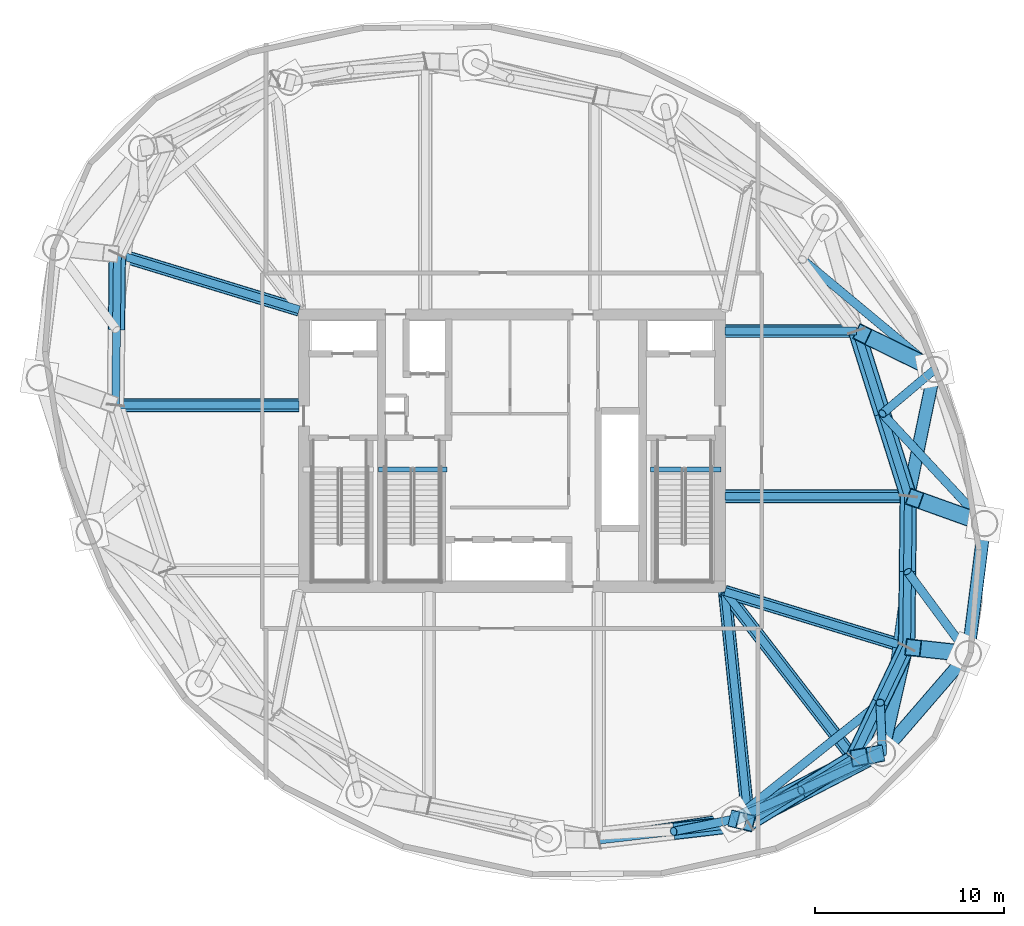
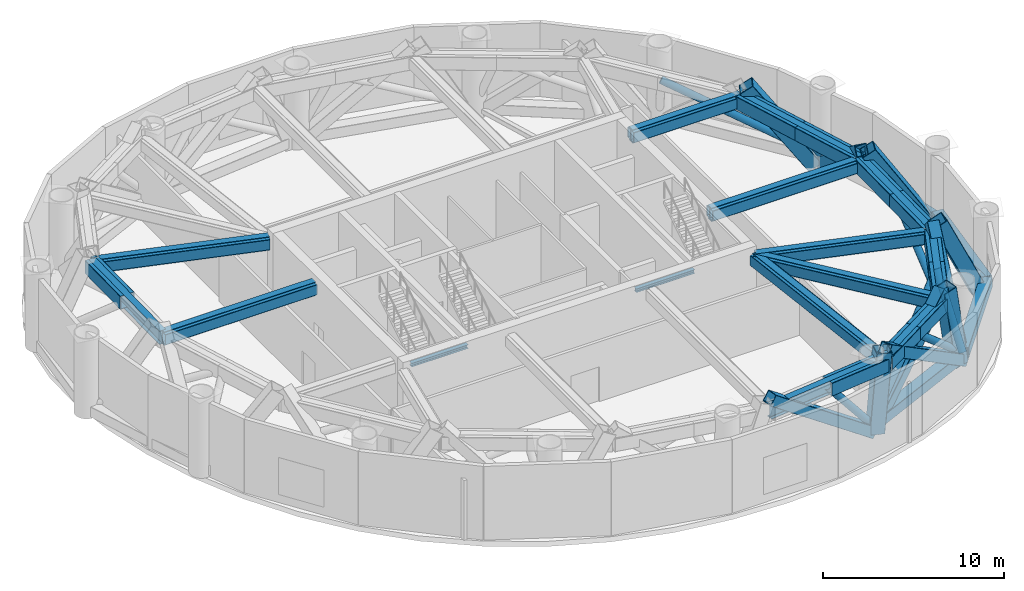
# One storey, part 2 of 10: 40 members, 15 beams.
"""IFC4 building model written with IfcOpenShell, lengths in metres."""

import ifcopenshell
import ifcopenshell.guid

model = None  # the IFC model being written
_history = None  # IfcOwnerHistory: only IFC2X3 demands one
_inside = {}  # id of a spatial element -> (the spatial element, [elements in it])
_under = {}  # id of a project, library or spatial element -> (it, [spatial elements below it])
_declared = {}  # id of a project -> (the project, [libraries it declares])
_typed = {}  # id of a type object -> (the type object, [elements of that type])
_made_of = {}  # id of a material, layer set ... -> (it, [elements and type objects made of it])


def new_model(schema):
    """Start an empty IFC model of exactly this schema.

    Asked for "IFC4X3", IfcOpenShell would pick the latest addendum, in which some entities
    have other attributes; the version numbers below select the first issue.
    IFC2X3 requires an IfcOwnerHistory on every rooted entity: one is made here for all.
    """
    global model, _history
    if schema == "IFC4X3":
        model = ifcopenshell.file(schema_version=(4, 3, 0, 0))
    else:
        model = ifcopenshell.file(schema=schema)
    _inside.clear()
    _under.clear()
    _declared.clear()
    _typed.clear()
    _made_of.clear()
    _history = None
    if model.schema == "IFC2X3":
        org = make("IfcOrganization", Name="unknown")
        user = make(
            "IfcPersonAndOrganization",
            ThePerson=make("IfcPerson", FamilyName="unknown"),
            TheOrganization=org,
        )
        app = make(
            "IfcApplication",
            ApplicationDeveloper=org,
            Version="unknown",
            ApplicationFullName="unknown",
            ApplicationIdentifier="unknown",
        )
        _history = make(
            "IfcOwnerHistory",
            OwningUser=user,
            OwningApplication=app,
            ChangeAction="ADDED",
            CreationDate=0,
        )
    return model


def make(cls, **values):
    """One entity of the class cls with the attributes given. An attribute that is None is left unset."""
    return model.create_entity(
        cls, **{name: value for name, value in values.items() if value is not None}
    )


def rooted(cls, **values):
    """An entity with a GlobalId (a new one), such as an element, a storey or a relation."""
    return make(cls, GlobalId=ifcopenshell.guid.new(), OwnerHistory=_history, **values)


def si_unit(unit_type, name, prefix=None):
    """IfcSIUnit, for example si_unit("LENGTHUNIT", "METRE", prefix="MILLI")."""
    return make("IfcSIUnit", UnitType=unit_type, Prefix=prefix, Name=name)


def assignment(units):
    """IfcUnitAssignment: the units of a project."""
    return None if units is None else make("IfcUnitAssignment", Units=units)


def point(xyz):
    """IfcCartesianPoint."""
    return None if xyz is None else make("IfcCartesianPoint", Coordinates=xyz)


def direction(xyz):
    """IfcDirection."""
    return None if xyz is None else make("IfcDirection", DirectionRatios=xyz)


def frame(location, z_axis=None, x_axis=None):
    """IfcAxis2Placement3D, a coordinate frame: its origin and axes. An axis left out is left unset."""
    return make(
        "IfcAxis2Placement3D",
        Location=point(location),
        Axis=direction(z_axis),
        RefDirection=direction(x_axis),
    )


def frame_2d(location, x_axis=None):
    """IfcAxis2Placement2D, a coordinate frame in the plane: its origin and x axis."""
    return make(
        "IfcAxis2Placement2D", Location=point(location), RefDirection=direction(x_axis)
    )


def origin():
    """The frame at (0, 0, 0) with its axes left unset."""
    return frame((0.0, 0.0, 0.0))


def origin_2d():
    """The frame at (0, 0) in the plane with its x axis left unset."""
    return frame_2d((0.0, 0.0))


def place(relative_to, where):
    """IfcLocalPlacement: puts the frame where relative to a parent placement (None: the world)."""
    return make(
        "IfcLocalPlacement", PlacementRelTo=relative_to, RelativePlacement=where
    )


def context(
    kind, dimensions, precision=None, world=None, true_north=None, identifier=None
):
    """IfcGeometricRepresentationContext, for example the 3D "Model" context."""
    return make(
        "IfcGeometricRepresentationContext",
        ContextIdentifier=identifier,
        ContextType=kind,
        CoordinateSpaceDimension=dimensions,
        Precision=precision,
        WorldCoordinateSystem=world,
        TrueNorth=true_north,
    )


def subcontext(parent, identifier, kind, view, scale=None):
    """IfcGeometricRepresentationSubContext, for example "Body" below "Model"."""
    return make(
        "IfcGeometricRepresentationSubContext",
        ContextIdentifier=identifier,
        ContextType=kind,
        ParentContext=parent,
        TargetScale=scale,
        TargetView=view,
    )


def project(units=None, contexts=None):
    """IfcProject with its units and contexts."""
    return rooted(
        "IfcProject",
        Name="project",
        RepresentationContexts=contexts,
        UnitsInContext=assignment(units),
    )


def spatial(cls, under=None, at=None, **own):
    """A site, building, storey or space (cls), placed at a placement, below another one or the project."""
    s = rooted(cls, ObjectPlacement=at, **own)
    if under is not None:
        _under.setdefault(under.id(), (under, []))[1].append(s)
    return s


def profile(cls, at=None, kind="AREA", **sizes):
    """A parametric profile (cls). Its sizes go by their IFC names, for example OverallWidth=200.0."""
    return make(cls, ProfileType=kind, Position=at, **sizes)


def hollow_rectangle(**sizes):
    """IfcRectangleHollowProfileDef."""
    return profile("IfcRectangleHollowProfileDef", **sizes)


def hollow_circle(**sizes):
    """IfcCircleHollowProfileDef."""
    return profile("IfcCircleHollowProfileDef", **sizes)


def i_section(**sizes):
    """IfcIShapeProfileDef."""
    return profile("IfcIShapeProfileDef", **sizes)


def extrude(swept, where, along, depth):
    """IfcExtrudedAreaSolid: the profile swept, set in the frame where, extruded along a direction by depth."""
    return make(
        "IfcExtrudedAreaSolid",
        SweptArea=swept,
        Position=where,
        ExtrudedDirection=direction(along),
        Depth=depth,
    )


def shape(context_of_items, identifier, shape_type, items):
    """IfcShapeRepresentation: the items that make up one representation, for example the "Body"."""
    return make(
        "IfcShapeRepresentation",
        ContextOfItems=context_of_items,
        RepresentationIdentifier=identifier,
        RepresentationType=shape_type,
        Items=items,
    )


def material(Name=None, Category=None):
    """IfcMaterial."""
    return make("IfcMaterial", Name=Name, Category=Category)


def material_profile(
    of_material, cross_section, Name=None, Category=None, Priority=None
):
    """IfcMaterialProfile: a cross section and its material."""
    return make(
        "IfcMaterialProfile",
        Name=Name,
        Material=of_material,
        Profile=cross_section,
        Priority=Priority,
        Category=Category,
    )


def profile_set(profiles, Name=None, composite=None):
    """IfcMaterialProfileSet."""
    return make(
        "IfcMaterialProfileSet",
        Name=Name,
        MaterialProfiles=profiles,
        CompositeProfile=composite,
    )


def made_of(thing, what):
    """Note that an element or type object is made of a material, layer set ...; save() writes the relation."""
    if what is not None:
        _made_of.setdefault(what.id(), (what, []))[1].append(thing)
    return thing


def type_object(cls, material=None, **own):
    """A type object (cls), such as IfcWallType, which elements share."""
    return made_of(rooted(cls, **own), material)


def element(
    cls,
    number,
    at=None,
    inside=None,
    cuts=None,
    type_object=None,
    material=None,
    context=None,
    identifier="Body",
    shape_type=None,
    held_by="IfcProductDefinitionShape",
    body=None,
    shapes=None,
    **own,
):
    """One element of the class cls, such as IfcWall. Its Tag is "e" and its number.

    at: its placement. inside: the storey or other place that contains it. cuts: it is an
    opening in that element (IfcRelVoidsElement). A single representation is given by context,
    identifier, shape_type and body (its items); several are given by shapes. held_by: the class
    of the entity that holds the representations. save() writes the other relations.
    """
    e = rooted(cls, Tag="e%d" % number, ObjectPlacement=at, **own)
    if body is not None:
        shapes = [shape(context, identifier, shape_type, body)]
    if shapes is not None:
        e.Representation = make(held_by, Representations=shapes)
    if inside is not None:
        _inside.setdefault(inside.id(), (inside, []))[1].append(e)
    if cuts is not None:
        rooted(
            "IfcRelVoidsElement", RelatingBuildingElement=cuts, RelatedOpeningElement=e
        )
    if type_object is not None:
        _typed.setdefault(type_object.id(), (type_object, []))[1].append(e)
    return made_of(e, material)


def aggregate(whole, parts):
    """IfcRelAggregates: a whole, such as a stair, and the parts it consists of."""
    return rooted("IfcRelAggregates", RelatingObject=whole, RelatedObjects=parts)


def save(model, path):
    """Write the relations noted so far, then the file.

    IfcRelAggregates (storeys below a building ...), IfcRelContainedInSpatialStructure (elements
    in a storey), IfcRelDefinesByType, IfcRelAssociatesMaterial and IfcRelDeclares: one each for
    every whole, place, type object, material and project.
    """
    for whole, parts in _under.values():
        aggregate(whole, parts)
    for where, things in _inside.values():
        rooted(
            "IfcRelContainedInSpatialStructure",
            RelatedElements=things,
            RelatingStructure=where,
        )
    for kind, things in _typed.values():
        rooted("IfcRelDefinesByType", RelatedObjects=things, RelatingType=kind)
    for what, things in _made_of.values():
        rooted("IfcRelAssociatesMaterial", RelatedObjects=things, RelatingMaterial=what)
    for by, libraries in _declared.values():
        rooted("IfcRelDeclares", RelatingContext=by, RelatedDefinitions=libraries)
    model.write(path)


model = new_model("IFC4")

# Units and contexts
model_context = context("Model", 3, precision=1e-05, world=origin(), true_north=direction((0.0, 1.0)))
body_context = subcontext(model_context, "Body", "Model", "MODEL_VIEW")
ifc_project = project(units=[si_unit("LENGTHUNIT", "METRE"), si_unit("AREAUNIT", "SQUARE_METRE"), si_unit("VOLUMEUNIT", "CUBIC_METRE"), si_unit("PLANEANGLEUNIT", "RADIAN"), si_unit("MASSUNIT", "GRAM", prefix="KILO")], contexts=[model_context])

# Site, building, storey
site_placement = place(None, origin())
site = spatial("IfcSite", under=ifc_project, at=site_placement, CompositionType="ELEMENT")
building_placement = place(site_placement, origin())
building = spatial("IfcBuilding", under=site, at=building_placement, Name="Bramvorn Convention Spire", CompositionType="ELEMENT")
storey_placement = place(building_placement, frame((0.0, 0.0, 165.800048828125)))
storey = spatial("IfcBuildingStorey", under=building, at=storey_placement, Name="L42", CompositionType="ELEMENT", Elevation=165.800048828125)

# Beams
ifc_material = material(Name="Steel CSA G40.21 Grade 350 (350W)", Category="steel")
ifc_material_profile_1 = material_profile(ifc_material, i_section(OverallWidth=0.25390625, OverallDepth=0.2529296875, WebThickness=0.008544921875, FlangeThickness=0.01416015625, FilletRadius=0.011962890625, at=origin_2d()))
ifc_profile_set_1 = profile_set([ifc_material_profile_1], Name="Steel CSA G40.21 Grade 350 (350W) - W250X73")
beam_type_1 = type_object("IfcBeamType", Name="BM-W250X73", PredefinedType="BEAM", material=ifc_profile_set_1)
beam_1_placement = place(storey_placement, frame((45.31005859375, 25.010009765625, -0.12646484375), z_axis=(1.0, 0.0, 0.0), x_axis=(0.0, 1.0, 0.0)))
element("IfcBeam", 1, at=beam_1_placement, inside=storey, type_object=beam_type_1, Name="L42 ST2 stair arrival header beam", PredefinedType="BEAM", context=body_context, shape_type="SweptSolid", body=[
    extrude(i_section(OverallWidth=0.25390625, OverallDepth=0.2529296875, WebThickness=0.008544921875, FlangeThickness=0.01416015625, FilletRadius=0.011962890625, at=origin_2d()), origin(), (0.0, 0.0, 1.0), 3.739990234375),
])
beam_2_placement = place(storey_placement, frame((30.949951171875, 25.010009765625, -0.12646484375), z_axis=(1.0, 0.0, 0.0), x_axis=(0.0, 1.0, 0.0)))
element("IfcBeam", 2, at=beam_2_placement, inside=storey, type_object=beam_type_1, Name="L42 ST3 stair arrival header beam", PredefinedType="BEAM", context=body_context, shape_type="SweptSolid", body=[
    extrude(i_section(OverallWidth=0.25390625, OverallDepth=0.2529296875, WebThickness=0.008544921875, FlangeThickness=0.01416015625, FilletRadius=0.011962890625, at=origin_2d()), origin(), (0.0, 0.0, 1.0), 3.610107421875),
])
ifc_material_profile_2 = material_profile(ifc_material, i_section(OverallWidth=0.41796875, OverallDepth=0.912109375, WebThickness=0.019287109375, FlangeThickness=0.031982421875, FilletRadius=0.02392578125, at=origin_2d()))
ifc_profile_set_2 = profile_set([ifc_material_profile_2], Name="Steel CSA G40.21 Grade 350 (350W) - W920X342")
beam_type_2 = type_object("IfcBeamType", Name="BM-W920X342", PredefinedType="BEAM", material=ifc_profile_set_2)
beam_3_placement = place(storey_placement, frame((56.058349609375, 9.739990234375, 4.52392578125), z_axis=(0.430556138422, 0.902563799223, 0.0), x_axis=(-0.902563799223, 0.430556138422, 0.0)))
element("IfcBeam", 3, at=beam_3_placement, inside=storey, type_object=beam_type_2, Name="L42 step-in transfer ring girder 01", PredefinedType="BEAM", context=body_context, shape_type="SweptSolid", body=[
    extrude(i_section(OverallWidth=0.41796875, OverallDepth=0.912109375, WebThickness=0.019287109375, FlangeThickness=0.031982421875, FilletRadius=0.02392578125, at=origin_2d()), origin(), (0.0, 0.0, 1.0), 6.51416015625),
])
beam_4_placement = place(storey_placement, frame((49.25, 18.550048828125, 4.52392578125), z_axis=(0.611479951477, -0.791259925019, 0.0), x_axis=(0.791259925019, 0.611479951477, 0.0)))
element("IfcBeam", 4, at=beam_4_placement, inside=storey, type_object=beam_type_2, Name="L42 step-in radial transfer girder MC01", PredefinedType="BEAM", context=body_context, shape_type="SweptSolid", body=[
    extrude(i_section(OverallWidth=0.41796875, OverallDepth=0.912109375, WebThickness=0.019287109375, FlangeThickness=0.031982421875, FilletRadius=0.02392578125, at=origin_2d()), origin(), (0.0, 0.0, 1.0), 11.13427734375),
])
beam_5_placement = place(storey_placement, frame((58.863037109375, 15.619384765625, 4.52392578125), z_axis=(0.011480475367, 0.999934097171, 0.0), x_axis=(-0.999934097171, 0.011480475367, 0.0)))
element("IfcBeam", 5, at=beam_5_placement, inside=storey, type_object=beam_type_2, Name="L42 step-in transfer ring girder 02", PredefinedType="BEAM", context=body_context, shape_type="SweptSolid", body=[
    extrude(i_section(OverallWidth=0.41796875, OverallDepth=0.912109375, WebThickness=0.019287109375, FlangeThickness=0.031982421875, FilletRadius=0.02392578125, at=origin_2d()), origin(), (0.0, 0.0, 1.0), 7.974609375),
])
beam_6_placement = place(storey_placement, frame((49.25, 18.550048828125, 4.52392578125), z_axis=(0.95653637984, -0.291613021044, 0.0), x_axis=(0.291613021044, 0.95653637984, 0.0)))
element("IfcBeam", 6, at=beam_6_placement, inside=storey, type_object=beam_type_2, Name="L42 step-in radial transfer girder MC02", PredefinedType="BEAM", context=body_context, shape_type="SweptSolid", body=[
    extrude(i_section(OverallWidth=0.41796875, OverallDepth=0.912109375, WebThickness=0.019287109375, FlangeThickness=0.031982421875, FilletRadius=0.02392578125, at=origin_2d()), origin(), (0.0, 0.0, 1.0), 10.0498046875),
])
beam_7_placement = place(storey_placement, frame((58.95458984375, 23.593505859375, 4.52392578125), z_axis=(-0.299747542929, 0.954018558786, 0.0), x_axis=(-0.954018558786, -0.299747542929, 0.0)))
element("IfcBeam", 7, at=beam_7_placement, inside=storey, type_object=beam_type_2, Name="L42 step-in transfer ring girder 03", PredefinedType="BEAM", context=body_context, shape_type="SweptSolid", body=[
    extrude(i_section(OverallWidth=0.41796875, OverallDepth=0.912109375, WebThickness=0.019287109375, FlangeThickness=0.031982421875, FilletRadius=0.02392578125, at=origin_2d()), origin(), (0.0, 0.0, 1.0), 9.15478515625),
])
beam_8_placement = place(storey_placement, frame((49.25, 23.593505859375, 4.52392578125), z_axis=(1.0, 0.0, 0.0), x_axis=(0.0, 1.0, 0.0)))
element("IfcBeam", 8, at=beam_8_placement, inside=storey, type_object=beam_type_2, Name="L42 step-in radial transfer girder MC03", PredefinedType="BEAM", context=body_context, shape_type="SweptSolid", body=[
    extrude(i_section(OverallWidth=0.41796875, OverallDepth=0.912109375, WebThickness=0.019287109375, FlangeThickness=0.031982421875, FilletRadius=0.02392578125, at=origin_2d()), origin(), (0.0, 0.0, 1.0), 9.70458984375),
])
beam_9_placement = place(storey_placement, frame((49.25, 32.327392578125, 4.52392578125), z_axis=(1.0, 0.0, 0.0), x_axis=(0.0, 1.0, 0.0)))
element("IfcBeam", 9, at=beam_9_placement, inside=storey, type_object=beam_type_2, Name="L42 step-in radial transfer girder MC04", PredefinedType="BEAM", context=body_context, shape_type="SweptSolid", body=[
    extrude(i_section(OverallWidth=0.41796875, OverallDepth=0.912109375, WebThickness=0.019287109375, FlangeThickness=0.031982421875, FilletRadius=0.02392578125, at=origin_2d()), origin(), (0.0, 0.0, 1.0), 6.96044921875),
])
beam_10_placement = place(storey_placement, frame((17.136962890625, 36.380615234375, 4.52392578125), z_axis=(-0.011480475367, -0.999934097171, 0.0), x_axis=(0.999934097171, -0.011480475367, 0.0)))
element("IfcBeam", 10, at=beam_10_placement, inside=storey, type_object=beam_type_2, Name="L42 step-in transfer ring girder 10", PredefinedType="BEAM", context=body_context, shape_type="SweptSolid", body=[
    extrude(i_section(OverallWidth=0.41796875, OverallDepth=0.912109375, WebThickness=0.019287109375, FlangeThickness=0.031982421875, FilletRadius=0.02392578125, at=origin_2d()), origin(), (0.0, 0.0, 1.0), 7.974609375),
])
beam_11_placement = place(storey_placement, frame((26.75, 33.449951171875, 4.52392578125), z_axis=(-0.95653637984, 0.291613021044, 0.0), x_axis=(-0.291613021044, -0.95653637984, 0.0)))
element("IfcBeam", 11, at=beam_11_placement, inside=storey, type_object=beam_type_2, Name="L42 step-in radial transfer girder MC10", PredefinedType="BEAM", context=body_context, shape_type="SweptSolid", body=[
    extrude(i_section(OverallWidth=0.41796875, OverallDepth=0.912109375, WebThickness=0.019287109375, FlangeThickness=0.031982421875, FilletRadius=0.02392578125, at=origin_2d()), origin(), (0.0, 0.0, 1.0), 10.0498046875),
])
beam_12_placement = place(storey_placement, frame((26.75, 28.406494140625, 4.52392578125), z_axis=(-1.0, 0.0, 0.0), x_axis=(0.0, -1.0, 0.0)))
element("IfcBeam", 12, at=beam_12_placement, inside=storey, type_object=beam_type_2, Name="L42 step-in radial transfer girder MC11", PredefinedType="BEAM", context=body_context, shape_type="SweptSolid", body=[
    extrude(i_section(OverallWidth=0.41796875, OverallDepth=0.912109375, WebThickness=0.019287109375, FlangeThickness=0.031982421875, FilletRadius=0.02392578125, at=origin_2d()), origin(), (0.0, 0.0, 1.0), 9.70458984375),
])
beam_13_placement = place(storey_placement, frame((42.583740234375, 5.41162109375, 4.52392578125), z_axis=(0.993256148339, 0.115940604561, 0.0), x_axis=(-0.115940604561, 0.993256148339, 0.0)))
element("IfcBeam", 13, at=beam_13_placement, inside=storey, type_object=beam_type_2, Name="L42 step-in transfer ring girder 15", PredefinedType="BEAM", context=body_context, shape_type="SweptSolid", body=[
    extrude(i_section(OverallWidth=0.41796875, OverallDepth=0.912109375, WebThickness=0.019287109375, FlangeThickness=0.031982421875, FilletRadius=0.02392578125, at=origin_2d()), origin(), (0.0, 0.0, 1.0), 7.974365234375),
])
beam_14_placement = place(storey_placement, frame((50.50439453125, 6.336181640625, 4.52392578125), z_axis=(0.852616873135, 0.522536570629, 0.0), x_axis=(-0.522536570629, 0.852616873135, 0.0)))
element("IfcBeam", 14, at=beam_14_placement, inside=storey, type_object=beam_type_2, Name="L42 step-in transfer ring girder 16", PredefinedType="BEAM", context=body_context, shape_type="SweptSolid", body=[
    extrude(i_section(OverallWidth=0.41796875, OverallDepth=0.912109375, WebThickness=0.019287109375, FlangeThickness=0.031982421875, FilletRadius=0.02392578125, at=origin_2d()), origin(), (0.0, 0.0, 1.0), 6.513916015625),
])
beam_15_placement = place(storey_placement, frame((49.25, 18.550048828125, 4.52392578125), z_axis=(0.10216509146, -0.994767457292, 0.0), x_axis=(0.994767457292, 0.10216509146, 0.0)))
element("IfcBeam", 15, at=beam_15_placement, inside=storey, type_object=beam_type_2, Name="L42 step-in radial transfer girder MC16", PredefinedType="BEAM", context=body_context, shape_type="SweptSolid", body=[
    extrude(i_section(OverallWidth=0.41796875, OverallDepth=0.912109375, WebThickness=0.019287109375, FlangeThickness=0.031982421875, FilletRadius=0.02392578125, at=origin_2d()), origin(), (0.0, 0.0, 1.0), 12.278076171875),
])

# Members
ifc_material_profile_3 = material_profile(ifc_material, hollow_rectangle(XDim=0.699951171875, YDim=0.699951171875, WallThickness=0.034912109375, InnerFilletRadius=0.0009765625, OuterFilletRadius=0.034912109375, at=origin_2d()))
ifc_profile_set_3 = profile_set([ifc_material_profile_3], Name="Steel CSA G40.21 Grade 350 (350W) - BOX700X700X35")
member_type_1 = type_object("IfcMemberType", Name="MBR-BOX700X700X35", PredefinedType="CHORD", material=ifc_profile_set_3)
member_1_placement = place(storey_placement, frame((62.11767578125, 15.26220703125, 0.449951171875), z_axis=(0.124775053879, 0.992185056292, 0.0), x_axis=(-0.992185056292, 0.124775053879, 0.0)))
element("IfcMember", 16, at=member_1_placement, inside=storey, type_object=member_type_1, Name="L42 belt truss bottom chord 1", PredefinedType="CHORD", context=body_context, shape_type="SweptSolid", body=[
    extrude(hollow_rectangle(XDim=0.699951171875, YDim=0.699951171875, WallThickness=0.034912109375, InnerFilletRadius=0.0009765625, OuterFilletRadius=0.034912109375, at=origin_2d()), origin(), (0.0, 0.0, 1.0), 6.940185546875),
])
member_2_placement = place(storey_placement, frame((49.76171875, 6.521240234375, 0.0), z_axis=(0.707679363849, 0.361755834709, 0.606895900493), x_axis=(-0.455163980415, 0.890407631893, 0.0)))
element("IfcMember", 17, at=member_2_placement, inside=storey, type_object=member_type_1, Name="L42 step-in secondary transfer strut MC01", PredefinedType="CHORD", context=body_context, shape_type="SweptSolid", body=[
    extrude(hollow_rectangle(XDim=0.699951171875, YDim=0.699951171875, WallThickness=0.034912109375, InnerFilletRadius=0.0009765625, OuterFilletRadius=0.034912109375, at=origin_2d()), origin(), (0.0, 0.0, 1.0), 8.8974609375),
])
member_3_placement = place(storey_placement, frame((49.25, 18.550048828125, 4.530029296875), z_axis=(0.611479951477, -0.791259925019, 0.0), x_axis=(0.791259925019, 0.611479951477, 0.0)))
element("IfcMember", 18, at=member_3_placement, inside=storey, type_object=member_type_1, Name="L42 outrigger top tie MC01", PredefinedType="CHORD", context=body_context, shape_type="SweptSolid", body=[
    extrude(hollow_rectangle(XDim=0.699951171875, YDim=0.699951171875, WallThickness=0.034912109375, InnerFilletRadius=0.0009765625, OuterFilletRadius=0.034912109375, at=origin_2d()), origin(), (0.0, 0.0, 1.0), 11.13427734375),
])
member_4_placement = place(storey_placement, frame((57.579833984375, 10.0107421875, 0.0), z_axis=(0.162623156072, 0.710795617284, 0.684341507991), x_axis=(-0.974812135138, 0.223027579432, 0.0)))
element("IfcMember", 19, at=member_4_placement, inside=storey, type_object=member_type_1, Name="L42 step-in secondary transfer strut MC02", PredefinedType="CHORD", context=body_context, shape_type="SweptSolid", body=[
    extrude(hollow_rectangle(XDim=0.699951171875, YDim=0.699951171875, WallThickness=0.034912109375, InnerFilletRadius=0.0009765625, OuterFilletRadius=0.034912109375, at=origin_2d()), origin(), (0.0, 0.0, 1.0), 7.890625),
])
member_5_placement = place(storey_placement, frame((49.25, 18.550048828125, 4.530029296875), z_axis=(0.95653637984, -0.291613021044, 0.0), x_axis=(0.291613021044, 0.95653637984, 0.0)))
element("IfcMember", 20, at=member_5_placement, inside=storey, type_object=member_type_1, Name="L42 outrigger top tie MC02", PredefinedType="CHORD", context=body_context, shape_type="SweptSolid", body=[
    extrude(hollow_rectangle(XDim=0.699951171875, YDim=0.699951171875, WallThickness=0.034912109375, InnerFilletRadius=0.0009765625, OuterFilletRadius=0.034912109375, at=origin_2d()), origin(), (0.0, 0.0, 1.0), 10.0498046875),
])
member_6_placement = place(storey_placement, frame((60.345703125, 30.293212890625, 0.0), z_axis=(-0.159592410944, -0.768609150779, 0.619491917387), x_axis=(0.979116152328, -0.203301648421, 0.0)))
element("IfcMember", 21, at=member_6_placement, inside=storey, type_object=member_type_1, Name="L42 step-in secondary transfer strut MC03", PredefinedType="CHORD", context=body_context, shape_type="SweptSolid", body=[
    extrude(hollow_rectangle(XDim=0.699951171875, YDim=0.699951171875, WallThickness=0.034912109375, InnerFilletRadius=0.0009765625, OuterFilletRadius=0.034912109375, at=origin_2d()), origin(), (0.0, 0.0, 1.0), 8.716552734375),
])
member_7_placement = place(storey_placement, frame((49.25, 23.593505859375, 4.530029296875), z_axis=(1.0, 0.0, 0.0), x_axis=(0.0, 1.0, 0.0)))
element("IfcMember", 22, at=member_7_placement, inside=storey, type_object=member_type_1, Name="L42 outrigger top tie MC03", PredefinedType="CHORD", context=body_context, shape_type="SweptSolid", body=[
    extrude(hollow_rectangle(XDim=0.699951171875, YDim=0.699951171875, WallThickness=0.034912109375, InnerFilletRadius=0.0009765625, OuterFilletRadius=0.034912109375, at=origin_2d()), origin(), (0.0, 0.0, 1.0), 9.70458984375),
])
member_8_placement = place(storey_placement, frame((49.25, 32.327392578125, 4.530029296875), z_axis=(1.0, 0.0, 0.0), x_axis=(0.0, 1.0, 0.0)))
element("IfcMember", 23, at=member_8_placement, inside=storey, type_object=member_type_1, Name="L42 outrigger top tie MC04", PredefinedType="CHORD", context=body_context, shape_type="SweptSolid", body=[
    extrude(hollow_rectangle(XDim=0.699951171875, YDim=0.699951171875, WallThickness=0.034912109375, InnerFilletRadius=0.0009765625, OuterFilletRadius=0.034912109375, at=origin_2d()), origin(), (0.0, 0.0, 1.0), 6.96044921875),
])
member_9_placement = place(storey_placement, frame((26.75, 33.449951171875, 4.530029296875), z_axis=(-0.95653637984, 0.291613021044, 0.0), x_axis=(-0.291613021044, -0.95653637984, 0.0)))
element("IfcMember", 24, at=member_9_placement, inside=storey, type_object=member_type_1, Name="L42 outrigger top tie MC10", PredefinedType="CHORD", context=body_context, shape_type="SweptSolid", body=[
    extrude(hollow_rectangle(XDim=0.699951171875, YDim=0.699951171875, WallThickness=0.034912109375, InnerFilletRadius=0.0009765625, OuterFilletRadius=0.034912109375, at=origin_2d()), origin(), (0.0, 0.0, 1.0), 10.0498046875),
])
member_10_placement = place(storey_placement, frame((26.75, 28.406494140625, 4.530029296875), z_axis=(-1.0, 0.0, 0.0), x_axis=(0.0, -1.0, 0.0)))
element("IfcMember", 25, at=member_10_placement, inside=storey, type_object=member_type_1, Name="L42 outrigger top tie MC11", PredefinedType="CHORD", context=body_context, shape_type="SweptSolid", body=[
    extrude(hollow_rectangle(XDim=0.699951171875, YDim=0.699951171875, WallThickness=0.034912109375, InnerFilletRadius=0.0009765625, OuterFilletRadius=0.034912109375, at=origin_2d()), origin(), (0.0, 0.0, 1.0), 9.70458984375),
])
member_11_placement = place(storey_placement, frame((49.76171875, 6.521240234375, 0.449951171875), z_axis=(0.913169534701, 0.407579931908, 0.0), x_axis=(-0.407579931908, 0.913169534701, 0.0)))
element("IfcMember", 26, at=member_11_placement, inside=storey, type_object=member_type_1, Name="L42 belt truss bottom chord 15", PredefinedType="CHORD", context=body_context, shape_type="SweptSolid", body=[
    extrude(hollow_rectangle(XDim=0.699951171875, YDim=0.699951171875, WallThickness=0.034912109375, InnerFilletRadius=0.0009765625, OuterFilletRadius=0.034912109375, at=origin_2d()), origin(), (0.0, 0.0, 1.0), 8.5615234375),
])
member_12_placement = place(storey_placement, frame((49.76171875, 6.521240234375, 0.0), z_axis=(-0.793093174827, -0.122601560477, 0.596633952614), x_axis=(0.152771959138, -0.98826146768, 0.0)))
element("IfcMember", 27, at=member_12_placement, inside=storey, type_object=member_type_1, Name="L42 step-in secondary transfer strut MC15", PredefinedType="CHORD", context=body_context, shape_type="SweptSolid", body=[
    extrude(hollow_rectangle(XDim=0.699951171875, YDim=0.699951171875, WallThickness=0.034912109375, InnerFilletRadius=0.0009765625, OuterFilletRadius=0.034912109375, at=origin_2d()), origin(), (0.0, 0.0, 1.0), 9.050537109375),
])
member_13_placement = place(storey_placement, frame((57.579833984375, 10.0107421875, 0.449951171875), z_axis=(0.653824993824, 0.756645807132, 0.0), x_axis=(-0.756645807132, 0.653824993824, 0.0)))
element("IfcMember", 28, at=member_13_placement, inside=storey, type_object=member_type_1, Name="L42 belt truss bottom chord 16", PredefinedType="CHORD", context=body_context, shape_type="SweptSolid", body=[
    extrude(hollow_rectangle(XDim=0.699951171875, YDim=0.699951171875, WallThickness=0.034912109375, InnerFilletRadius=0.0009765625, OuterFilletRadius=0.034912109375, at=origin_2d()), origin(), (0.0, 0.0, 1.0), 6.9404296875),
])
member_14_placement = place(storey_placement, frame((57.579833984375, 10.0107421875, 0.0), z_axis=(-0.734783255288, -0.381602524942, 0.56077899453), x_axis=(0.460891801647, -0.887456335362, 0.0)))
element("IfcMember", 29, at=member_14_placement, inside=storey, type_object=member_type_1, Name="L42 step-in secondary transfer strut MC16", PredefinedType="CHORD", context=body_context, shape_type="SweptSolid", body=[
    extrude(hollow_rectangle(XDim=0.699951171875, YDim=0.699951171875, WallThickness=0.034912109375, InnerFilletRadius=0.0009765625, OuterFilletRadius=0.034912109375, at=origin_2d()), origin(), (0.0, 0.0, 1.0), 9.62939453125),
])
member_15_placement = place(storey_placement, frame((49.25, 18.550048828125, 4.530029296875), z_axis=(0.10216509146, -0.994767457292, 0.0), x_axis=(0.994767457292, 0.10216509146, 0.0)))
element("IfcMember", 30, at=member_15_placement, inside=storey, type_object=member_type_1, Name="L42 outrigger top tie MC16", PredefinedType="CHORD", context=body_context, shape_type="SweptSolid", body=[
    extrude(hollow_rectangle(XDim=0.699951171875, YDim=0.699951171875, WallThickness=0.034912109375, InnerFilletRadius=0.0009765625, OuterFilletRadius=0.034912109375, at=origin_2d()), origin(), (0.0, 0.0, 1.0), 12.278076171875),
])
ifc_material_profile_4 = material_profile(ifc_material, hollow_rectangle(XDim=0.89990234375, YDim=0.89990234375, WallThickness=0.044921875, InnerFilletRadius=0.0009765625, OuterFilletRadius=0.044921875, at=origin_2d()))
ifc_profile_set_4 = profile_set([ifc_material_profile_4], Name="Steel CSA G40.21 Grade 350 (350W) - BOX900X900X45")
member_type_2 = type_object("IfcMemberType", Name="MBR-BOX900X900X45", PredefinedType="CHORD", material=ifc_profile_set_4)
for number, where, z_axis, x_axis, name in (
    (31, (56.058349609375, 9.739990234375, 4.530029296875), (0.430556138422, 0.902563799223, 0.0), (-0.902563799223, 0.430556138422, 0.0), "L42 belt truss top chord 1A"),
    (32, (57.460693359375, 12.6796875, 4.530029296875), (0.430556138422, 0.902563799223, 0.0), (-0.902563799223, 0.430556138422, 0.0), "L42 belt truss top chord 1B"),
):
    element("IfcMember", number, at=place(storey_placement, frame(where, z_axis=z_axis, x_axis=x_axis)), inside=storey, type_object=member_type_2, Name=name, PredefinedType="CHORD", context=body_context, shape_type="SweptSolid", body=[
        extrude(hollow_rectangle(XDim=0.89990234375, YDim=0.89990234375, WallThickness=0.044921875, InnerFilletRadius=0.0009765625, OuterFilletRadius=0.044921875, at=origin_2d()), origin(), (0.0, 0.0, 1.0), 3.257080078125),
    ])
member_16_placement = place(storey_placement, frame((57.199462890625, 9.943115234375, 0.0), z_axis=(-0.153057836332, -0.027244026893, 0.987841617738), x_axis=(0.175243740378, -0.984525079141, 0.0)))
element("IfcMember", 33, at=member_16_placement, inside=storey, type_object=member_type_2, Name="L42 step-in mega-column transfer strut MC01", PredefinedType="CHORD", context=body_context, shape_type="SweptSolid", body=[
    extrude(hollow_rectangle(XDim=0.89990234375, YDim=0.89990234375, WallThickness=0.044921875, InnerFilletRadius=0.0009765625, OuterFilletRadius=0.044921875, at=origin_2d()), origin(), (0.0, 0.0, 1.0), 5.46630859375),
])
for number, where, z_axis, x_axis, name in (
    (34, (58.863037109375, 15.619384765625, 4.530029296875), (0.011511085917, 0.999933745256, 0.0), (-0.999933745256, 0.011511085917, 0.0), "L42 belt truss top chord 2A"),
    (35, (58.908935546875, 19.6064453125, 4.530029296875), (0.011449864785, 0.99993444815, 0.0), (-0.99993444815, 0.011449864785, 0.0), "L42 belt truss top chord 2B"),
):
    element("IfcMember", number, at=place(storey_placement, frame(where, z_axis=z_axis, x_axis=x_axis)), inside=storey, type_object=member_type_2, Name=name, PredefinedType="CHORD", context=body_context, shape_type="SweptSolid", body=[
        extrude(hollow_rectangle(XDim=0.89990234375, YDim=0.89990234375, WallThickness=0.044921875, InnerFilletRadius=0.0009765625, OuterFilletRadius=0.044921875, at=origin_2d()), origin(), (0.0, 0.0, 1.0), 3.9873046875),
    ])
member_17_placement = place(storey_placement, frame((61.67041015625, 15.311279296875, 0.0), z_axis=(-0.414068704119, 0.045459597653, 0.909109747638), x_axis=(-0.109131841965, -0.994027283866, 0.0)))
element("IfcMember", 36, at=member_17_placement, inside=storey, type_object=member_type_2, Name="L42 step-in mega-column transfer strut MC02", PredefinedType="CHORD", context=body_context, shape_type="SweptSolid", body=[
    extrude(hollow_rectangle(XDim=0.89990234375, YDim=0.89990234375, WallThickness=0.044921875, InnerFilletRadius=0.0009765625, OuterFilletRadius=0.044921875, at=origin_2d()), origin(), (0.0, 0.0, 1.0), 5.939697265625),
])
for number, where, z_axis, x_axis, name in (
    (37, (58.95458984375, 23.593505859375, 4.530029296875), (-0.299747542929, 0.954018558786, 0.0), (-0.954018558786, -0.299747542929, 0.0), "L42 belt truss top chord 3A"),
    (38, (57.58251953125, 27.96044921875, 4.530029296875), (-0.299747542929, 0.954018558786, 0.0), (-0.954018558786, -0.299747542929, 0.0), "L42 belt truss top chord 3B"),
):
    element("IfcMember", number, at=place(storey_placement, frame(where, z_axis=z_axis, x_axis=x_axis)), inside=storey, type_object=member_type_2, Name=name, PredefinedType="CHORD", context=body_context, shape_type="SweptSolid", body=[
        extrude(hollow_rectangle(XDim=0.89990234375, YDim=0.89990234375, WallThickness=0.044921875, InnerFilletRadius=0.0009765625, OuterFilletRadius=0.044921875, at=origin_2d()), origin(), (0.0, 0.0, 1.0), 4.577392578125),
    ])
member_18_placement = place(storey_placement, frame((62.56005859375, 22.30029296875, 0.0), z_axis=(-0.509926997723, 0.182871419962, 0.840554876706), x_axis=(-0.337571545057, -0.941299873562, 0.0)))
element("IfcMember", 39, at=member_18_placement, inside=storey, type_object=member_type_2, Name="L42 step-in mega-column transfer strut MC03", PredefinedType="CHORD", context=body_context, shape_type="SweptSolid", body=[
    extrude(hollow_rectangle(XDim=0.89990234375, YDim=0.89990234375, WallThickness=0.044921875, InnerFilletRadius=0.0009765625, OuterFilletRadius=0.044921875, at=origin_2d()), origin(), (0.0, 0.0, 1.0), 6.42431640625),
])
member_19_placement = place(storey_placement, frame((59.94189453125, 30.49169921875, 0.0), z_axis=(-0.517180731598, 0.254415382039, 0.817188414165), x_axis=(-0.441409349505, -0.897305848732, 0.0)))
element("IfcMember", 40, at=member_19_placement, inside=storey, type_object=member_type_2, Name="L42 step-in mega-column transfer strut MC04", PredefinedType="CHORD", context=body_context, shape_type="SweptSolid", body=[
    extrude(hollow_rectangle(XDim=0.89990234375, YDim=0.89990234375, WallThickness=0.044921875, InnerFilletRadius=0.0009765625, OuterFilletRadius=0.044921875, at=origin_2d()), origin(), (0.0, 0.0, 1.0), 6.60791015625),
])
member_20_placement = place(storey_placement, frame((17.136962890625, 36.380615234375, 4.530029296875), z_axis=(-0.011511085917, -0.999933745256, 0.0), x_axis=(0.999933745256, -0.011511085917, 0.0)))
element("IfcMember", 41, at=member_20_placement, inside=storey, type_object=member_type_2, Name="L42 belt truss top chord 10A", PredefinedType="CHORD", context=body_context, shape_type="SweptSolid", body=[
    extrude(hollow_rectangle(XDim=0.89990234375, YDim=0.89990234375, WallThickness=0.044921875, InnerFilletRadius=0.0009765625, OuterFilletRadius=0.044921875, at=origin_2d()), origin(), (0.0, 0.0, 1.0), 3.9873046875),
])
member_21_placement = place(storey_placement, frame((46.544189453125, 5.8740234375, 4.530029296875), z_axis=(0.99325926218, 0.115913925363, 0.0), x_axis=(-0.115913925363, 0.99325926218, 0.0)))
element("IfcMember", 42, at=member_21_placement, inside=storey, type_object=member_type_2, Name="L42 belt truss top chord 15B", PredefinedType="CHORD", context=body_context, shape_type="SweptSolid", body=[
    extrude(hollow_rectangle(XDim=0.89990234375, YDim=0.89990234375, WallThickness=0.044921875, InnerFilletRadius=0.0009765625, OuterFilletRadius=0.044921875, at=origin_2d()), origin(), (0.0, 0.0, 1.0), 3.987060546875),
])
member_22_placement = place(storey_placement, frame((50.50439453125, 6.336181640625, 4.530029296875), z_axis=(0.852627106163, 0.522519873149, 0.0), x_axis=(-0.522519873149, 0.852627106163, 0.0)))
element("IfcMember", 43, at=member_22_placement, inside=storey, type_object=member_type_2, Name="L42 belt truss top chord 16A", PredefinedType="CHORD", context=body_context, shape_type="SweptSolid", body=[
    extrude(hollow_rectangle(XDim=0.89990234375, YDim=0.89990234375, WallThickness=0.044921875, InnerFilletRadius=0.0009765625, OuterFilletRadius=0.044921875, at=origin_2d()), origin(), (0.0, 0.0, 1.0), 3.257080078125),
])
member_23_placement = place(storey_placement, frame((53.281494140625, 8.0380859375, 4.530029296875), z_axis=(0.852606639126, 0.522553268977, 0.0), x_axis=(-0.522553268977, 0.852606639126, 0.0)))
element("IfcMember", 44, at=member_23_placement, inside=storey, type_object=member_type_2, Name="L42 belt truss top chord 16B", PredefinedType="CHORD", context=body_context, shape_type="SweptSolid", body=[
    extrude(hollow_rectangle(XDim=0.89990234375, YDim=0.89990234375, WallThickness=0.044921875, InnerFilletRadius=0.0009765625, OuterFilletRadius=0.044921875, at=origin_2d()), origin(), (0.0, 0.0, 1.0), 3.2568359375),
])
member_24_placement = place(storey_placement, frame((49.947509765625, 6.47509765625, 0.0), z_axis=(0.075410967904, -0.018796397858, 0.99697536647), x_axis=(0.241853231203, 0.970312843652, 0.0)))
element("IfcMember", 45, at=member_24_placement, inside=storey, type_object=member_type_2, Name="L42 step-in mega-column transfer strut MC16", PredefinedType="CHORD", context=body_context, shape_type="SweptSolid", body=[
    extrude(hollow_rectangle(XDim=0.89990234375, YDim=0.89990234375, WallThickness=0.044921875, InnerFilletRadius=0.0009765625, OuterFilletRadius=0.044921875, at=origin_2d()), origin(), (0.0, 0.0, 1.0), 5.416259765625),
])
ifc_material_profile_5 = material_profile(ifc_material, hollow_circle(Radius=0.228515625, WallThickness=0.01904296875, at=origin_2d()))
ifc_profile_set_5 = profile_set([ifc_material_profile_5], Name="Steel CSA G40.21 Grade 350 (350W) - CHS457X19")
member_type_3 = type_object("IfcMemberType", Name="MBR-CHS457X19", PredefinedType="BRACE", material=ifc_profile_set_5)
member_25_placement = place(storey_placement, frame((57.579833984375, 10.0107421875, 0.449951171875), z_axis=(-0.024429402846, 0.54725867195, 0.836606926969), x_axis=(-0.999005140085, -0.044595180055, 0.0)))
element("IfcMember", 46, at=member_25_placement, inside=storey, type_object=member_type_3, Name="L42 ring belt diagonal 1A", PredefinedType="BRACE", context=body_context, shape_type="SweptSolid", body=[
    extrude(hollow_circle(Radius=0.228515625, WallThickness=0.01904296875, at=origin_2d()), origin(), (0.0, 0.0, 1.0), 4.876953125),
])
member_26_placement = place(storey_placement, frame((49.76171875, 6.521240234375, 0.449951171875), z_axis=(0.721557122696, 0.577177054701, 0.382389809243), x_axis=(-0.62464974811, 0.780905046844, 0.0)))
element("IfcMember", 47, at=member_26_placement, inside=storey, type_object=member_type_3, Name="L42 ring belt diagonal 1B", PredefinedType="BRACE", context=body_context, shape_type="SweptSolid", body=[
    extrude(hollow_circle(Radius=0.228515625, WallThickness=0.01904296875, at=origin_2d()), origin(), (0.0, 0.0, 1.0), 10.669921875),
])
member_27_placement = place(storey_placement, frame((62.11767578125, 15.26220703125, 0.449951171875), z_axis=(-0.474054796813, 0.641811690976, 0.602785038754), x_axis=(-0.804372445147, -0.594125381959, 0.0)))
element("IfcMember", 48, at=member_27_placement, inside=storey, type_object=member_type_3, Name="L42 ring belt diagonal 2A", PredefinedType="BRACE", context=body_context, shape_type="SweptSolid", body=[
    extrude(hollow_circle(Radius=0.228515625, WallThickness=0.01904296875, at=origin_2d()), origin(), (0.0, 0.0, 1.0), 6.768798828125),
])
member_28_placement = place(storey_placement, frame((57.579833984375, 10.0107421875, 0.449951171875), z_axis=(0.126442939886, 0.912879006111, 0.388154741251), x_axis=(-0.990543333933, 0.137200231781, 0.0)))
element("IfcMember", 49, at=member_28_placement, inside=storey, type_object=member_type_3, Name="L42 ring belt diagonal 2B", PredefinedType="BRACE", context=body_context, shape_type="SweptSolid", body=[
    extrude(hollow_circle(Radius=0.228515625, WallThickness=0.01904296875, at=origin_2d()), origin(), (0.0, 0.0, 1.0), 10.511474609375),
])
member_29_placement = place(storey_placement, frame((62.983642578125, 22.148193359375, 0.449951171875), z_axis=(-0.605373609027, 0.651454572621, 0.457307044888), x_axis=(-0.73254028428, -0.680723682493, 0.0)))
element("IfcMember", 50, at=member_29_placement, inside=storey, type_object=member_type_3, Name="L42 ring belt diagonal 3A", PredefinedType="BRACE", context=body_context, shape_type="SweptSolid", body=[
    extrude(hollow_circle(Radius=0.228515625, WallThickness=0.01904296875, at=origin_2d()), origin(), (0.0, 0.0, 1.0), 8.921875),
])
member_30_placement = place(storey_placement, frame((60.345703125, 30.293212890625, 0.449951171875), z_axis=(-0.506822703337, -0.42787514847, 0.748367292647), x_axis=(0.645085352841, -0.764110520508, 0.0)))
element("IfcMember", 51, at=member_30_placement, inside=storey, type_object=member_type_3, Name="L42 ring belt diagonal 3B", PredefinedType="BRACE", context=body_context, shape_type="SweptSolid", body=[
    extrude(hollow_circle(Radius=0.228515625, WallThickness=0.01904296875, at=origin_2d()), origin(), (0.0, 0.0, 1.0), 5.451904296875),
])
member_31_placement = place(storey_placement, frame((60.345703125, 30.293212890625, 0.449951171875), z_axis=(-0.701441200063, 0.583370532449, 0.40946192097), x_axis=(-0.639431255636, -0.768848274574, 0.0)))
element("IfcMember", 52, at=member_31_placement, inside=storey, type_object=member_type_3, Name="L42 ring belt diagonal 4A", PredefinedType="BRACE", context=body_context, shape_type="SweptSolid", body=[
    extrude(hollow_circle(Radius=0.228515625, WallThickness=0.01904296875, at=origin_2d()), origin(), (0.0, 0.0, 1.0), 9.964599609375),
])
member_32_placement = place(storey_placement, frame((49.76171875, 6.521240234375, 0.449951171875), z_axis=(-0.614470846814, -0.12360286933, 0.779196964258), x_axis=(0.19720322735, -0.980362630419, 0.0)))
element("IfcMember", 53, at=member_32_placement, inside=storey, type_object=member_type_3, Name="L42 ring belt diagonal 15B", PredefinedType="BRACE", context=body_context, shape_type="SweptSolid", body=[
    extrude(hollow_circle(Radius=0.228515625, WallThickness=0.01904296875, at=origin_2d()), origin(), (0.0, 0.0, 1.0), 5.236328125),
])
member_33_placement = place(storey_placement, frame((49.76171875, 6.521240234375, 0.449951171875), z_axis=(0.628765173325, 0.270966083226, 0.7288564595), x_axis=(-0.395763587317, 0.918352428512, 0.0)))
element("IfcMember", 54, at=member_33_placement, inside=storey, type_object=member_type_3, Name="L42 ring belt diagonal 16A", PredefinedType="BRACE", context=body_context, shape_type="SweptSolid", body=[
    extrude(hollow_circle(Radius=0.228515625, WallThickness=0.01904296875, at=origin_2d()), origin(), (0.0, 0.0, 1.0), 5.597900390625),
])
member_34_placement = place(storey_placement, frame((57.579833984375, 10.0107421875, 0.449951171875), z_axis=(-0.688160522581, -0.315820573807, 0.653217008598), x_axis=(0.417106148353, -0.908857778206, 0.0)))
element("IfcMember", 55, at=member_34_placement, inside=storey, type_object=member_type_3, Name="L42 ring belt diagonal 16B", PredefinedType="BRACE", context=body_context, shape_type="SweptSolid", body=[
    extrude(hollow_circle(Radius=0.228515625, WallThickness=0.01904296875, at=origin_2d()), origin(), (0.0, 0.0, 1.0), 6.24609375),
])

save(model, "model.ifc")
